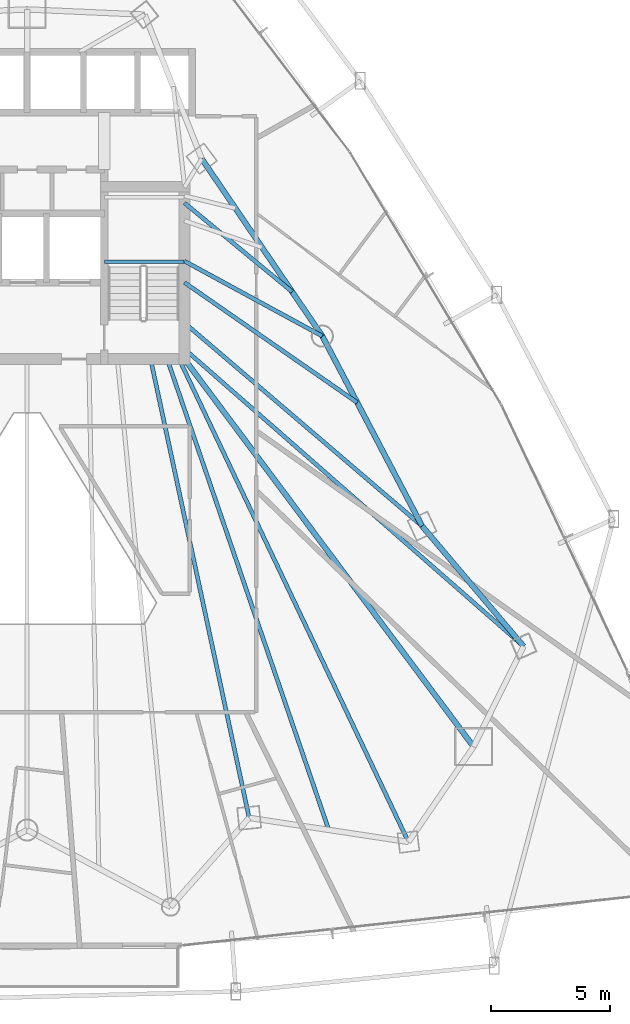
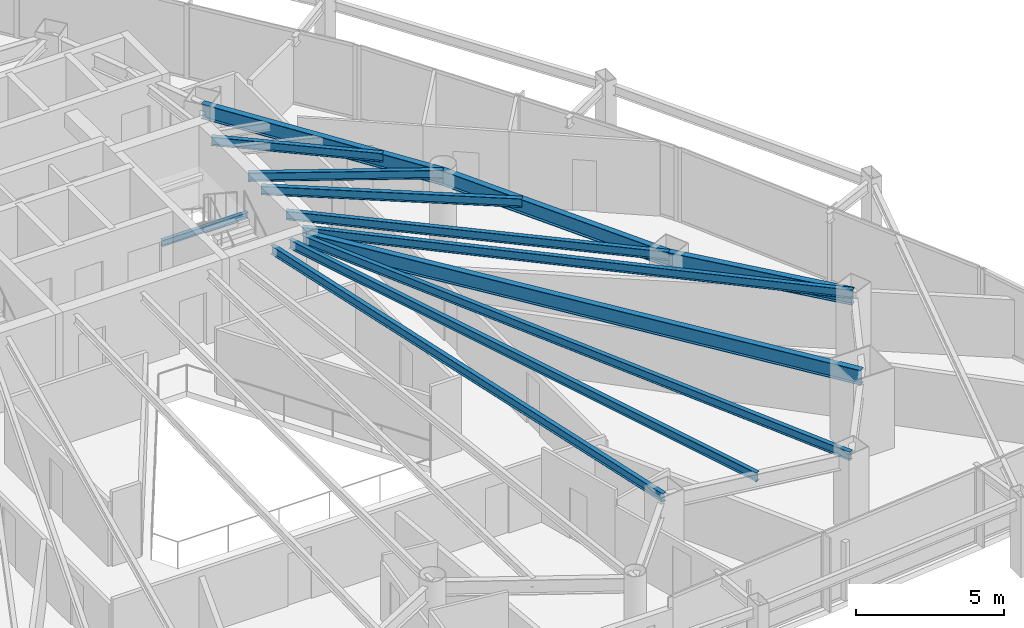
# One storey, part 17 of 34: 13 beams.
"""IFC4 building model written with IfcOpenShell, lengths in metres."""

from ifc_helpers import new_model, si_unit, direction, frame, origin, origin_2d, place, context, subcontext, project, spatial, i_section, extrude, material, material_profile, profile_set, type_object, element, save


model = new_model("IFC4")

# Units and contexts
model_context = context("Model", 3, precision=1e-05, world=origin(), true_north=direction((0.0, 1.0)))
body_context = subcontext(model_context, "Body", "Model", "MODEL_VIEW")
ifc_project = project(units=[si_unit("LENGTHUNIT", "METRE"), si_unit("AREAUNIT", "SQUARE_METRE"), si_unit("VOLUMEUNIT", "CUBIC_METRE"), si_unit("PLANEANGLEUNIT", "RADIAN"), si_unit("MASSUNIT", "GRAM", prefix="KILO")], contexts=[model_context])

# Site, building, storey
site_placement = place(None, origin())
site = spatial("IfcSite", under=ifc_project, at=site_placement, CompositionType="ELEMENT")
building_placement = place(site_placement, origin())
building = spatial("IfcBuilding", under=site, at=building_placement, Name="Orvanel Arch Residences", CompositionType="ELEMENT")
storey_placement = place(building_placement, frame((0.0, 0.0, 64.25)))
storey = spatial("IfcBuildingStorey", under=building, at=storey_placement, Name="L17", CompositionType="ELEMENT", Elevation=64.25)

# Beams
ifc_material = material(Name="Structural steel AS/NZS 3679.1 Grade 300 (300 MPa)", Category="steel")
ifc_material_profile_1 = material_profile(ifc_material, i_section(OverallWidth=0.22900390625, OverallDepth=0.612060546875, WebThickness=0.011962890625, FlangeThickness=0.01953125, at=origin_2d()), Name="610UB125")
ifc_profile_set_1 = profile_set([ifc_material_profile_1], Name="Structural steel AS/NZS 3679.1 Grade 300 (300 MPa)")
beam_type_1 = type_object("IfcBeamType", Name="BG-610UB", PredefinedType="BEAM", material=ifc_profile_set_1)
beam_1_placement = place(storey_placement, frame((39.625, 26.675048828125, 2.75390625), z_axis=(0.597893733742, -0.801575375839, 0.0), x_axis=(0.801575375839, 0.597893733742, 0.0)))
element("IfcBeam", 1, at=beam_1_placement, inside=storey, type_object=beam_type_1, Name="L17 South-East Radial Girder", PredefinedType="BEAM", context=body_context, shape_type="SweptSolid", body=[
    extrude(i_section(OverallWidth=0.22900390625, OverallDepth=0.612060546875, WebThickness=0.011962890625, FlangeThickness=0.01953125, at=origin_2d()), origin(), (0.0, 0.0, 1.0), 20.36474609375),
])
ifc_material_profile_2 = material_profile(ifc_material, i_section(OverallWidth=0.14599609375, OverallDepth=0.251953125, WebThickness=0.006103515625, FlangeThickness=0.008544921875, at=origin_2d()), Name="250UB31.4")
ifc_profile_set_2 = profile_set([ifc_material_profile_2], Name="Structural steel AS/NZS 3679.1 Grade 300 (300 MPa)")
beam_type_2 = type_object("IfcBeamType", Name="BJ-250UB", PredefinedType="JOIST", material=ifc_profile_set_2)
beam_2_placement = place(storey_placement, frame((36.25, 30.780029296875, 1.323974609375), z_axis=(1.0, 0.0, 0.0), x_axis=(0.0, 1.0, 0.0)))
element("IfcBeam", 2, at=beam_2_placement, inside=storey, type_object=beam_type_2, Name="L17 ST-2 Half-Landing Support Beam 1.1", PredefinedType="JOIST", context=body_context, shape_type="SweptSolid", body=[
    extrude(i_section(OverallWidth=0.14599609375, OverallDepth=0.251953125, WebThickness=0.006103515625, FlangeThickness=0.008544921875, at=origin_2d()), origin(), (0.0, 0.0, 1.0), 3.35009765625),
])
ifc_material_profile_3 = material_profile(ifc_material, i_section(OverallWidth=0.1708984375, OverallDepth=0.35595703125, WebThickness=0.00732421875, FlangeThickness=0.011474609375, at=origin_2d()), Name="360UB50.7")
ifc_profile_set_3 = profile_set([ifc_material_profile_3], Name="Structural steel AS/NZS 3679.1 Grade 300 (300 MPa)")
beam_type_3 = type_object("IfcBeamType", Name="BJ-360UB", PredefinedType="JOIST", material=ifc_profile_set_3)
beam_3_placement = place(storey_placement, frame((39.625, 30.800048828125, 2.882080078125), z_axis=(0.878399029914, -0.477927969726, 0.0), x_axis=(0.477927969726, 0.878399029914, 0.0)))
element("IfcBeam", 3, at=beam_3_placement, inside=storey, type_object=beam_type_3, Name="L17 NE Wing Floor Joist", PredefinedType="JOIST", context=body_context, shape_type="SweptSolid", body=[
    extrude(i_section(OverallWidth=0.1708984375, OverallDepth=0.35595703125, WebThickness=0.00732421875, FlangeThickness=0.011474609375, at=origin_2d()), origin(), (0.0, 0.0, 1.0), 6.609619140625),
])
beam_4_placement = place(storey_placement, frame((39.625, 28.199951171875, 2.882080078125), z_axis=(0.760024297953, -0.649894658018, 0.0), x_axis=(0.649894658018, 0.760024297953, 0.0)))
element("IfcBeam", 4, at=beam_4_placement, inside=storey, type_object=beam_type_3, Name="L17 E Wing Floor Joist", PredefinedType="JOIST", context=body_context, shape_type="SweptSolid", body=[
    extrude(i_section(OverallWidth=0.1708984375, OverallDepth=0.35595703125, WebThickness=0.00732421875, FlangeThickness=0.011474609375, at=origin_2d()), origin(), (0.0, 0.0, 1.0), 13.16796875),
])
beam_5_placement = place(storey_placement, frame((38.199951171875, 26.675048828125, 2.882080078125), z_axis=(0.210066515515, -0.977687096703, 0.0), x_axis=(0.977687096703, 0.210066515515, 0.0)))
element("IfcBeam", 5, at=beam_5_placement, inside=storey, type_object=beam_type_3, Name="L17 SE Wing Floor Joist", PredefinedType="JOIST", context=body_context, shape_type="SweptSolid", body=[
    extrude(i_section(OverallWidth=0.1708984375, OverallDepth=0.35595703125, WebThickness=0.00732421875, FlangeThickness=0.011474609375, at=origin_2d()), origin(), (0.0, 0.0, 1.0), 19.760986328125),
])
beam_6_placement = place(storey_placement, frame((39.625, 27.10009765625, 2.882080078125), z_axis=(0.751924114057, -0.659249669472, 0.0), x_axis=(0.659249669472, 0.751924114057, 0.0)))
element("IfcBeam", 6, at=beam_6_placement, inside=storey, type_object=beam_type_3, Name="L17 ME Wing Floor Joist", PredefinedType="JOIST", context=body_context, shape_type="SweptSolid", body=[
    extrude(i_section(OverallWidth=0.1708984375, OverallDepth=0.35595703125, WebThickness=0.00732421875, FlangeThickness=0.011474609375, at=origin_2d()), origin(), (0.0, 0.0, 1.0), 18.9912109375),
])
beam_7_placement = place(storey_placement, frame((39.39990234375, 26.675048828125, 2.882080078125), z_axis=(0.429042657795, -0.903284228686, 0.0), x_axis=(0.903284228686, 0.429042657795, 0.0)))
element("IfcBeam", 7, at=beam_7_placement, inside=storey, type_object=beam_type_3, Name="L17 MSE Wing Floor Joist", PredefinedType="JOIST", context=body_context, shape_type="SweptSolid", body=[
    extrude(i_section(OverallWidth=0.1708984375, OverallDepth=0.35595703125, WebThickness=0.00732421875, FlangeThickness=0.011474609375, at=origin_2d()), origin(), (0.0, 0.0, 1.0), 22.513427734375),
])
beam_8_placement = place(storey_placement, frame((39.625, 33.25, 2.882080078125), z_axis=(0.771468562814, -0.636267441089, 0.0), x_axis=(0.636267441089, 0.771468562814, 0.0)))
element("IfcBeam", 8, at=beam_8_placement, inside=storey, type_object=beam_type_3, Name="L17 LE Wing Floor Joist", PredefinedType="JOIST", context=body_context, shape_type="SweptSolid", body=[
    extrude(i_section(OverallWidth=0.1708984375, OverallDepth=0.35595703125, WebThickness=0.00732421875, FlangeThickness=0.011474609375, at=origin_2d()), origin(), (0.0, 0.0, 1.0), 5.879638671875),
])
beam_9_placement = place(storey_placement, frame((39.625, 29.89990234375, 2.882080078125), z_axis=(0.821089880853, -0.570798920427, 0.0), x_axis=(0.570798920427, 0.821089880853, 0.0)))
element("IfcBeam", 9, at=beam_9_placement, inside=storey, type_object=beam_type_3, Name="L17 CTE Wing Floor Joist", PredefinedType="JOIST", context=body_context, shape_type="SweptSolid", body=[
    extrude(i_section(OverallWidth=0.1708984375, OverallDepth=0.35595703125, WebThickness=0.00732421875, FlangeThickness=0.011474609375, at=origin_2d()), origin(), (0.0, 0.0, 1.0), 8.86279296875),
])
beam_10_placement = place(storey_placement, frame((38.89990234375, 26.675048828125, 2.882080078125), z_axis=(0.324621456495, -0.945844019901, 0.0), x_axis=(0.945844019901, 0.324621456495, 0.0)))
element("IfcBeam", 10, at=beam_10_placement, inside=storey, type_object=beam_type_3, Name="L17 JADD2 Wing Floor Joist", PredefinedType="JOIST", context=body_context, shape_type="SweptSolid", body=[
    extrude(i_section(OverallWidth=0.1708984375, OverallDepth=0.35595703125, WebThickness=0.00732421875, FlangeThickness=0.011474609375, at=origin_2d()), origin(), (0.0, 0.0, 1.0), 20.96337890625),
])
ifc_material_profile_4 = material_profile(ifc_material, i_section(OverallWidth=0.22900390625, OverallDepth=0.612060546875, WebThickness=0.011962890625, FlangeThickness=0.01953125, at=origin_2d()), Name="610UB125")
ifc_profile_set_4 = profile_set([ifc_material_profile_4], Name="Structural steel AS/NZS 3679.1 Grade 300 (300 MPa)")
beam_type_4 = type_object("IfcBeamType", Name="SP-610UB", PredefinedType="SPANDREL", material=ifc_profile_set_4)
beam_11_placement = place(storey_placement, frame((53.905029296875, 14.580078125, 2.75390625), z_axis=(-0.644950329775, 0.764224490659, 0.0), x_axis=(-0.764224490659, -0.644950329775, 0.0)))
element("IfcBeam", 11, at=beam_11_placement, inside=storey, type_object=beam_type_4, Name="L17 Perimeter Spandrel Beam 12", PredefinedType="SPANDREL", context=body_context, shape_type="SweptSolid", body=[
    extrude(i_section(OverallWidth=0.22900390625, OverallDepth=0.612060546875, WebThickness=0.011962890625, FlangeThickness=0.01953125, at=origin_2d()), origin(), (0.0, 0.0, 1.0), 6.623779296875),
])
beam_12_placement = place(storey_placement, frame((49.633056640625, 19.64208984375, 2.75390625), z_axis=(-0.465064762793, 0.885276660942, 0.0), x_axis=(-0.885276660942, -0.465064762793, 0.0)))
element("IfcBeam", 12, at=beam_12_placement, inside=storey, type_object=beam_type_4, Name="L17 Perimeter Spandrel Beam 13", PredefinedType="SPANDREL", context=body_context, shape_type="SweptSolid", body=[
    extrude(i_section(OverallWidth=0.22900390625, OverallDepth=0.612060546875, WebThickness=0.011962890625, FlangeThickness=0.01953125, at=origin_2d()), origin(), (0.0, 0.0, 1.0), 9.03564453125),
])
beam_13_placement = place(storey_placement, frame((45.430908203125, 27.64111328125, 2.75390625), z_axis=(-0.562154793153, 0.827032035978, 0.0), x_axis=(-0.827032035978, -0.562154793153, 0.0)))
element("IfcBeam", 13, at=beam_13_placement, inside=storey, type_object=beam_type_4, Name="L17 Perimeter Spandrel Beam 14", PredefinedType="SPANDREL", context=body_context, shape_type="SweptSolid", body=[
    extrude(i_section(OverallWidth=0.22900390625, OverallDepth=0.612060546875, WebThickness=0.011962890625, FlangeThickness=0.01953125, at=origin_2d()), origin(), (0.0, 0.0, 1.0), 9.03466796875),
])

save(model, "model.ifc")
